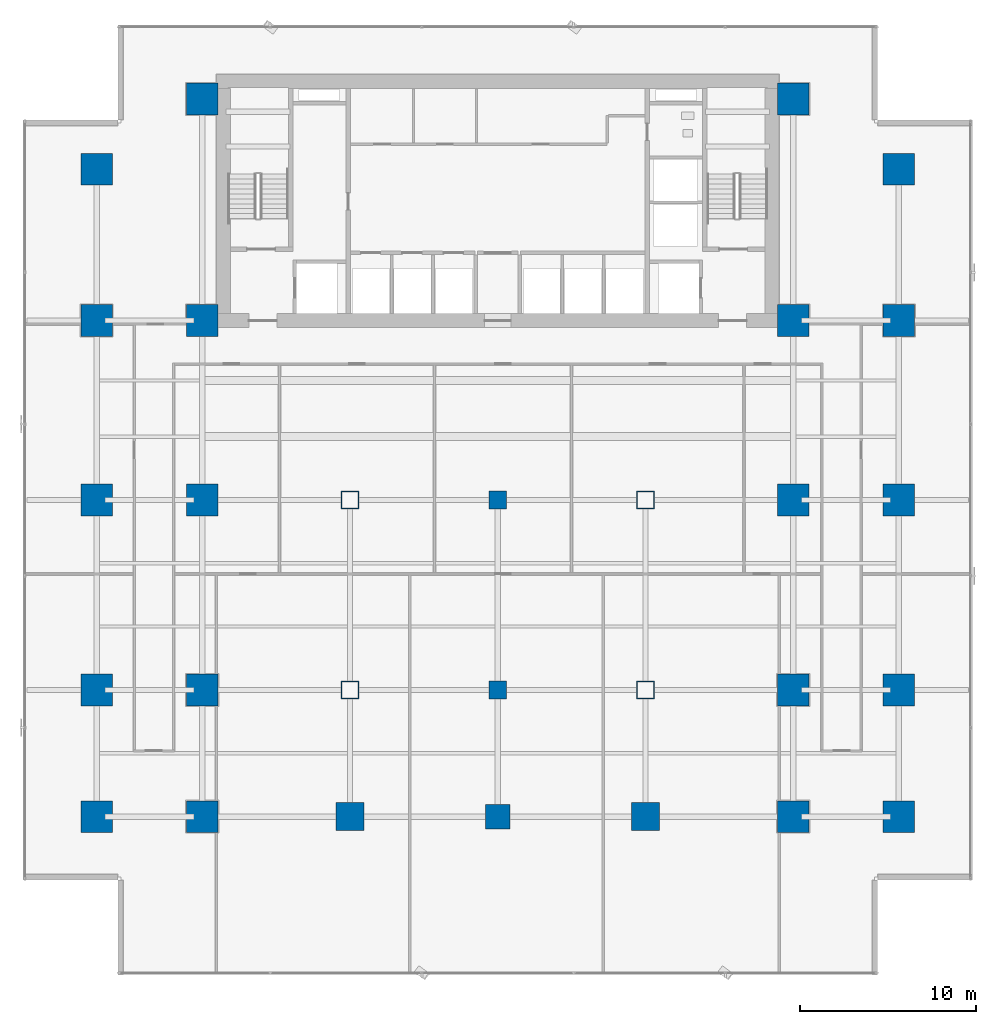
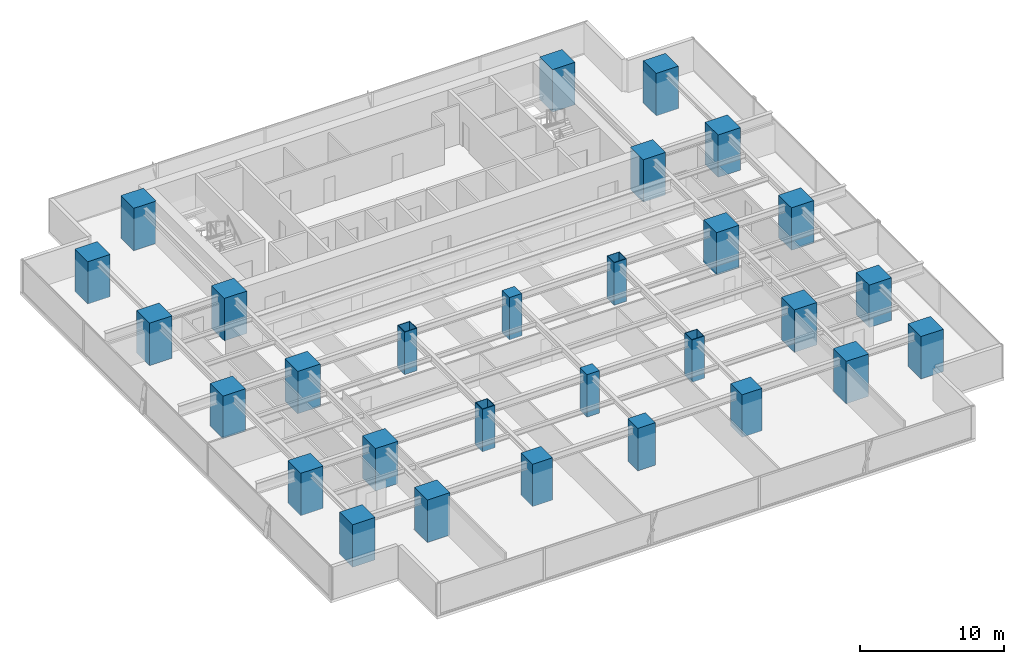
# One storey, part 1 of 33: 29 columns.
"""IFC4 building model written with IfcOpenShell, lengths in metres."""

from ifc_helpers import new_model, si_unit, direction, frame, origin, origin_2d, place, context, subcontext, project, spatial, rectangle, hollow_rectangle, extrude, source, transform, mapped, material, material_profile, profile_set, type_object, element, save


model = new_model("IFC4")

# Units and contexts
model_context = context("Model", 3, precision=1e-05, world=origin(), true_north=direction((0.0, 1.0)))
body_context = subcontext(model_context, "Body", "Model", "MODEL_VIEW")
ifc_project = project(units=[si_unit("LENGTHUNIT", "METRE"), si_unit("AREAUNIT", "SQUARE_METRE"), si_unit("VOLUMEUNIT", "CUBIC_METRE"), si_unit("PLANEANGLEUNIT", "RADIAN"), si_unit("MASSUNIT", "GRAM", prefix="KILO")], contexts=[model_context])

# Site, building, storey
site_placement = place(None, origin())
site = spatial("IfcSite", under=ifc_project, at=site_placement, CompositionType="ELEMENT")
building_placement = place(site_placement, origin())
building = spatial("IfcBuilding", under=site, at=building_placement, Name="Sumidabori Civic Tower", CompositionType="ELEMENT")
storey_placement = place(building_placement, frame((0.0, 0.0, 27.199951171875)))
storey = spatial("IfcBuildingStorey", under=building, at=storey_placement, Name="L06", CompositionType="ELEMENT", Elevation=27.199951171875)

# Columns
ifc_material_1 = material(Name="Concrete C60/75", Category="concrete")
ifc_material_profile_1 = material_profile(ifc_material_1, rectangle(XDim=1.800048828125, YDim=1.800048828125, at=origin_2d()), Name="RC 1800x1800")
ifc_profile_set_1 = profile_set([ifc_material_profile_1], Name="Concrete C60/75")
column_type_1 = type_object("IfcColumnType", Name="CL-MEGA-1800", PredefinedType="COLUMN", material=ifc_profile_set_1)
shared_shape_1 = source(origin(), body_context, "Body", "SweptSolid", [
    extrude(rectangle(XDim=1.800048828125, YDim=1.800048828125, at=origin_2d()), origin(), (0.0, 0.0, 1.0), 3.60009765625),
])
for number, where, z_axis, x_axis, name in (
    (1, (-16.800048828125, -18.0, 0.0), (0.0, 0.0, 1.0), (1.0, 0.0, 0.0), "Column MC-W16-Y18S L06"),
    (2, (-16.800048828125, -10.800048828125, 0.0), (0.0, 0.0, 1.0), (1.0, 0.0, 0.0), "Column MC-W16-Y11S L06"),
    (3, (-16.800048828125, 0.0, 0.0), (0.0, 0.0, 1.0), (1.0, 0.0, 0.0), "Column MC-W16-Y00 L06"),
    (4, (-16.800048828125, 10.199951171875, 0.0), (0.0, 0.0, 1.0), (1.0, 0.0, 0.0), "Column MC-W16-Y10N L06"),
    (5, (-16.800048828125, 22.800048828125, 0.0), (0.0, 0.0, 1.0), (1.0, 0.0, 0.0), "Column MC-W16-Y23N L06"),
    (6, (16.800048828125, -18.0, 0.0), (0.0, 0.0, 1.0), (1.0, 0.0, 0.0), "Column MC-E16-Y18S L06"),
    (7, (16.800048828125, -10.800048828125, 0.0), (0.0, 0.0, 1.0), (1.0, 0.0, 0.0), "Column MC-E16-Y11S L06"),
    (8, (16.800048828125, 0.0, 0.0), (0.0, 0.0, 1.0), (1.0, 0.0, 0.0), "Column MC-E16-Y00 L06"),
    (9, (16.800048828125, 10.199951171875, 0.0), (0.0, 0.0, 1.0), (1.0, 0.0, 0.0), "Column MC-E16-Y10N L06"),
    (10, (16.800048828125, 22.800048828125, 0.0), (0.0, 0.0, 1.0), (1.0, 0.0, 0.0), "Column MC-E16-Y23N L06"),
    (11, (-22.800048828125, -18.0, 0.0), (0.0, 0.0, 1.0), (1.0, 0.0, 0.0), "Column MC-W23-Y18S L06"),
    (12, (-22.800048828125, -10.800048828125, 0.0), (0.0, 0.0, 1.0), (1.0, 0.0, 0.0), "Column MC-W23-Y11S L06"),
    (13, (-22.800048828125, 0.0, 0.0), (0.0, 0.0, 1.0), (1.0, 0.0, 0.0), "Column MC-W23-Y00 L06"),
    (14, (-22.800048828125, 10.199951171875, 0.0), (0.0, 0.0, 1.0), (1.0, 0.0, 0.0), "Column MC-W23-Y10N L06"),
    (15, (-22.800048828125, 18.800048828125, 0.0), (0.0, 0.0, 1.0), (1.0, 0.0, 0.0), "Column MC-W23-Y19N L06"),
    (16, (22.800048828125, -18.0, 0.0), (0.0, 0.0, 1.0), (1.0, 0.0, 0.0), "Column MC-E23-Y18S L06"),
    (17, (22.800048828125, -10.800048828125, 0.0), (0.0, 0.0, 1.0), (1.0, 0.0, 0.0), "Column MC-E23-Y11S L06"),
    (18, (22.800048828125, 0.0, 0.0), (0.0, 0.0, 1.0), (1.0, 0.0, 0.0), "Column MC-E23-Y00 L06"),
    (19, (22.800048828125, 10.199951171875, 0.0), (0.0, 0.0, 1.0), (1.0, 0.0, 0.0), "Column MC-E23-Y10N L06"),
    (20, (22.800048828125, 18.800048828125, 0.0), (0.0, 0.0, 1.0), (1.0, 0.0, 0.0), "Column MC-E23-Y19N L06"),
):
    element("IfcColumn", number, at=place(storey_placement, frame(where, z_axis=z_axis, x_axis=x_axis)), inside=storey, type_object=column_type_1, Name=name, PredefinedType="COLUMN", context=body_context, shape_type="MappedRepresentation", body=[
        mapped(shared_shape_1, transform((0.0, 0.0, 0.0), x_axis=(1.0, 0.0, 0.0), y_axis=(0.0, 1.0, 0.0), z_axis=(0.0, 0.0, 1.0), scale=1.0)),
    ])
ifc_material_profile_2 = material_profile(ifc_material_1, rectangle(XDim=1.60009765625, YDim=1.60009765625, at=origin_2d()), Name="RC 1600x1600")
ifc_profile_set_2 = profile_set([ifc_material_profile_2], Name="Concrete C60/75")
column_type_2 = type_object("IfcColumnType", Name="CL-MEGA-1600", PredefinedType="COLUMN", material=ifc_profile_set_2)
shared_shape_2 = source(origin(), body_context, "Body", "SweptSolid", [
    extrude(rectangle(XDim=1.60009765625, YDim=1.60009765625, at=origin_2d()), origin(), (0.0, 0.0, 1.0), 3.60009765625),
])
for number, where, z_axis, x_axis, name in (
    (21, (-8.39990234375, -18.0, 0.0), (0.0, 0.0, 1.0), (1.0, 0.0, 0.0), "Column MC-W08-Y18S L06"),
    (22, (8.39990234375, -18.0, 0.0), (0.0, 0.0, 1.0), (1.0, 0.0, 0.0), "Column MC-E08-Y18S L06"),
):
    element("IfcColumn", number, at=place(storey_placement, frame(where, z_axis=z_axis, x_axis=x_axis)), inside=storey, type_object=column_type_2, Name=name, PredefinedType="COLUMN", context=body_context, shape_type="MappedRepresentation", body=[
        mapped(shared_shape_2, transform((0.0, 0.0, 0.0), x_axis=(1.0, 0.0, 0.0), y_axis=(0.0, 1.0, 0.0), z_axis=(0.0, 0.0, 1.0), scale=1.0)),
    ])
ifc_material_2 = material(Name="Steel SM570", Category="steel")
ifc_material_profile_3 = material_profile(ifc_material_2, hollow_rectangle(XDim=1.0, YDim=1.0, WallThickness=0.044921875, at=origin_2d()), Name="SHS 1000x1000x45")
ifc_profile_set_3 = profile_set([ifc_material_profile_3], Name="Steel SM570")
column_type_3 = type_object("IfcColumnType", Name="CL-PORTAL-SHS1000", PredefinedType="COLUMN", material=ifc_profile_set_3)
shared_shape_3 = source(origin(), body_context, "Body", "SweptSolid", [
    extrude(hollow_rectangle(XDim=1.0, YDim=1.0, WallThickness=0.044921875, at=origin_2d()), origin(), (0.0, 0.0, 1.0), 3.60009765625),
])
for number, where, z_axis, x_axis, name in (
    (23, (-8.39990234375, 0.0, 0.0), (0.0, 0.0, 1.0), (1.0, 0.0, 0.0), "Column MC-W08-Y00 L06"),
    (24, (-8.39990234375, -10.800048828125, 0.0), (0.0, 0.0, 1.0), (1.0, 0.0, 0.0), "Column MC-W08-Y11S L06"),
    (25, (8.39990234375, 0.0, 0.0), (0.0, 0.0, 1.0), (1.0, 0.0, 0.0), "Column MC-E08-Y00 L06"),
    (26, (8.39990234375, -10.800048828125, 0.0), (0.0, 0.0, 1.0), (1.0, 0.0, 0.0), "Column MC-E08-Y11S L06"),
):
    element("IfcColumn", number, at=place(storey_placement, frame(where, z_axis=z_axis, x_axis=x_axis)), inside=storey, type_object=column_type_3, Name=name, PredefinedType="COLUMN", context=body_context, shape_type="MappedRepresentation", body=[
        mapped(shared_shape_3, transform((0.0, 0.0, 0.0), x_axis=(1.0, 0.0, 0.0), y_axis=(0.0, 1.0, 0.0), z_axis=(0.0, 0.0, 1.0), scale=1.0)),
    ])
ifc_material_profile_4 = material_profile(ifc_material_1, rectangle(XDim=1.39990234375, YDim=1.39990234375, at=origin_2d()), Name="RC 1400x1400")
ifc_profile_set_4 = profile_set([ifc_material_profile_4], Name="Concrete C60/75")
column_type_4 = type_object("IfcColumnType", Name="CL-MEGA-1400", PredefinedType="COLUMN", material=ifc_profile_set_4)
shared_shape_4 = source(origin(), body_context, "Body", "SweptSolid", [
    extrude(rectangle(XDim=1.39990234375, YDim=1.39990234375, at=origin_2d()), origin(), (0.0, 0.0, 1.0), 3.60009765625),
])
column_placement = place(storey_placement, frame((0.0, -18.0, 0.0), z_axis=(0.0, 0.0, 1.0), x_axis=(1.0, 0.0, 0.0)))
element("IfcColumn", 27, at=column_placement, inside=storey, type_object=column_type_4, Name="Column MC-C00-Y18S L06", PredefinedType="COLUMN", context=body_context, shape_type="MappedRepresentation", body=[
    mapped(shared_shape_4, transform((0.0, 0.0, 0.0), x_axis=(1.0, 0.0, 0.0), y_axis=(0.0, 1.0, 0.0), z_axis=(0.0, 0.0, 1.0), scale=1.0)),
])
ifc_material_3 = material(Name="Concrete C50/60", Category="concrete")
ifc_material_profile_5 = material_profile(ifc_material_3, rectangle(XDim=1.0, YDim=1.0, at=origin_2d()), Name="RC 1000x1000")
ifc_profile_set_5 = profile_set([ifc_material_profile_5], Name="Concrete C50/60")
column_type_5 = type_object("IfcColumnType", Name="CL-INT-1000", PredefinedType="COLUMN", material=ifc_profile_set_5)
shared_shape_5 = source(origin(), body_context, "Body", "SweptSolid", [
    extrude(rectangle(XDim=1.0, YDim=1.0, at=origin_2d()), origin(), (0.0, 0.0, 1.0), 3.60009765625),
])
for number, where, z_axis, x_axis, name in (
    (28, (0.0, -10.800048828125, 0.0), (0.0, 0.0, 1.0), (1.0, 0.0, 0.0), "Column MC-C00-Y11S L06"),
    (29, (0.0, 0.0, 0.0), (0.0, 0.0, 1.0), (1.0, 0.0, 0.0), "Column MC-C00-Y00 L06"),
):
    element("IfcColumn", number, at=place(storey_placement, frame(where, z_axis=z_axis, x_axis=x_axis)), inside=storey, type_object=column_type_5, Name=name, PredefinedType="COLUMN", context=body_context, shape_type="MappedRepresentation", body=[
        mapped(shared_shape_5, transform((0.0, 0.0, 0.0), x_axis=(1.0, 0.0, 0.0), y_axis=(0.0, 1.0, 0.0), z_axis=(0.0, 0.0, 1.0), scale=1.0)),
    ])

save(model, "model.ifc")
